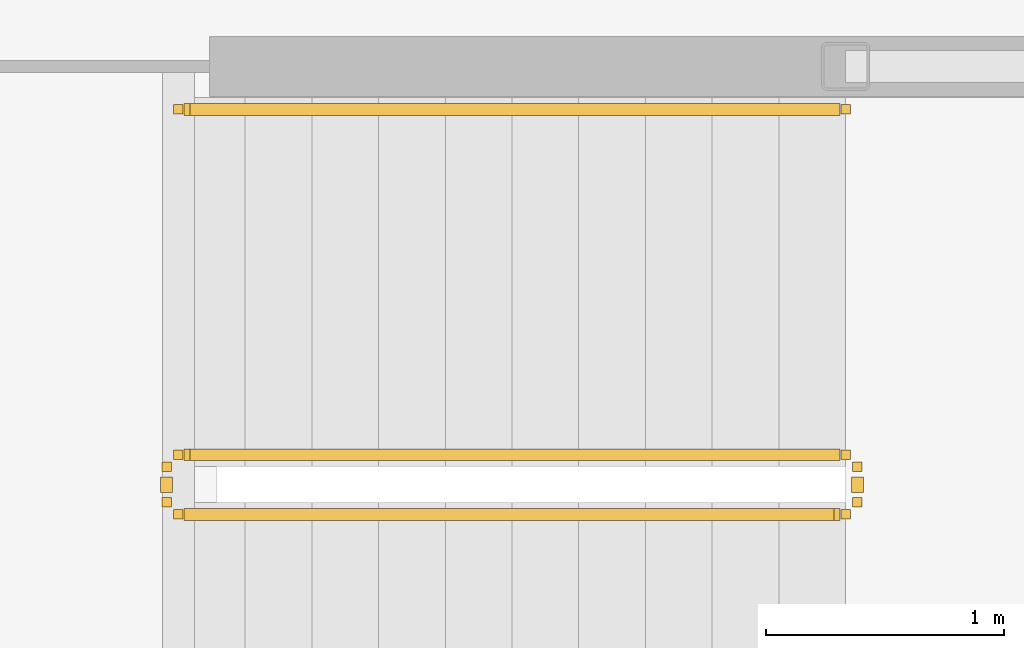
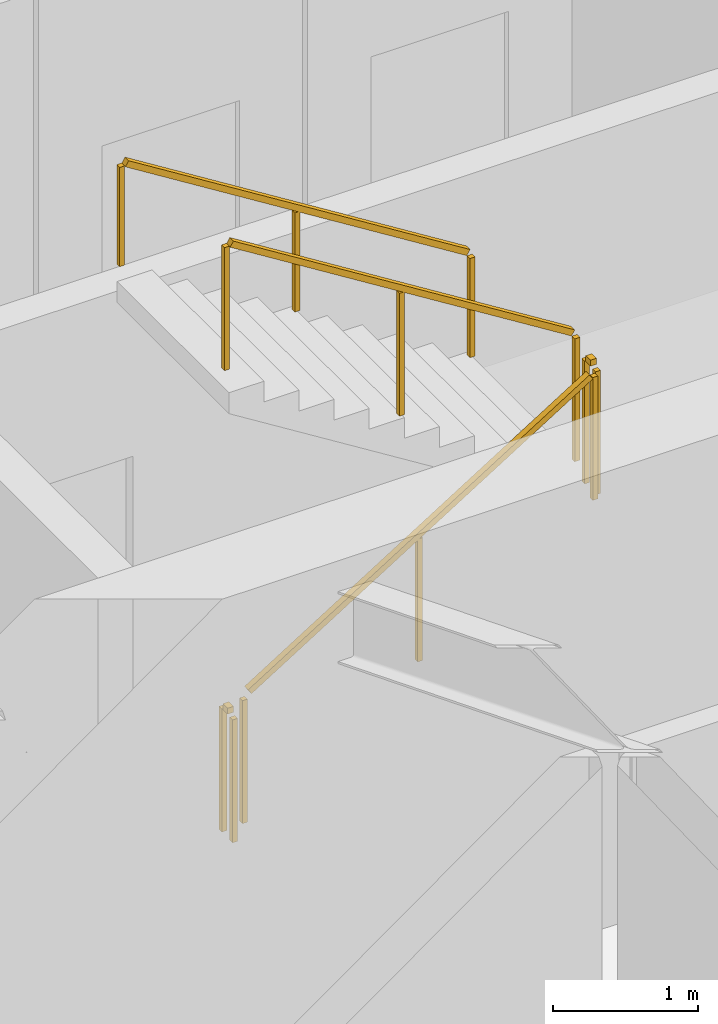
# One storey, part 26 of 29: 5 railings.
"""IFC4 building model written with IfcOpenShell, lengths in metres."""

from ifc_helpers import new_model, si_unit, direction, frame, origin, origin_2d, place, context, subcontext, project, spatial, rectangle, extrude, material, type_object, element, save


model = new_model("IFC4")

# Units and contexts
model_context = context("Model", 3, precision=1e-05, world=origin(), true_north=direction((0.0, 1.0)))
body_context = subcontext(model_context, "Body", "Model", "MODEL_VIEW")
ifc_project = project(units=[si_unit("LENGTHUNIT", "METRE"), si_unit("AREAUNIT", "SQUARE_METRE"), si_unit("VOLUMEUNIT", "CUBIC_METRE"), si_unit("PLANEANGLEUNIT", "RADIAN"), si_unit("MASSUNIT", "GRAM", prefix="KILO")], contexts=[model_context])

# Site, building, storey
site_placement = place(None, origin())
site = spatial("IfcSite", under=ifc_project, at=site_placement, CompositionType="ELEMENT")
building_placement = place(site_placement, origin())
building = spatial("IfcBuilding", under=site, at=building_placement, Name="Kazma Halo Residences", CompositionType="ELEMENT")
storey_placement = place(building_placement, frame((0.0, 0.0, 252.10009765625)))
storey = spatial("IfcBuildingStorey", under=building, at=storey_placement, Name="L63", CompositionType="ELEMENT", Elevation=252.10009765625)

# Railings
ifc_material_1 = material(Name="Painted Steel S355", Category="steel")
railing_type_1 = type_object("IfcRailingType", Name="RLG-STAIR-GRD-1100", PredefinedType="GUARDRAIL", material=ifc_material_1)
railing_1_placement = place(storey_placement, frame((53.199951171875, 35.5, 0.1748046875)))
element("IfcRailing", 1, at=railing_1_placement, inside=storey, type_object=railing_type_1, Name="L63 ST-03 stair guard 1", PredefinedType="GUARDRAIL", context=body_context, shape_type="SweptSolid", body=[
    extrude(rectangle(XDim=0.050048828125, YDim=0.050048828125, at=origin_2d()), frame((0.0361328125, 0.0, 1.09765625), z_axis=(0.848002457836, 0.0, 0.529992293815), x_axis=(0.0, 1.0, 0.0)), (0.0, 0.0, 1.0), 3.216796875),
    extrude(rectangle(XDim=0.0400390625, YDim=0.0400390625, at=origin_2d()), origin(), (0.0, 0.0, 1.0), 1.0380859375),
    extrude(rectangle(XDim=0.0400390625, YDim=0.0400390625, at=origin_2d()), frame((1.39990234375, 0.0, 0.875)), (0.0, 0.0, 1.0), 1.0380859375),
    extrude(rectangle(XDim=0.0400390625, YDim=0.0400390625, at=origin_2d()), frame((2.800048828125, 0.0, 1.75)), (0.0, 0.0, 1.0), 1.0380859375),
])
railing_2_placement = place(storey_placement, frame((56.050048828125, 35.550048828125, 1.9248046875)))
element("IfcRailing", 2, at=railing_2_placement, inside=storey, type_object=railing_type_1, Name="L63 ST-03 stair guard 2", PredefinedType="GUARDRAIL", context=body_context, shape_type="SweptSolid", body=[
    extrude(rectangle(XDim=0.050048828125, YDim=0.050048828125, at=origin_2d()), frame((0.0, 0.04248046875, 1.0751953125), z_axis=(0.0, 1.0, 0.0), x_axis=(-1.0, 0.0, 0.0)), (0.0, 0.0, 1.0), 0.06494140625),
    extrude(rectangle(XDim=0.0400390625, YDim=0.0400390625, at=origin_2d()), origin(), (0.0, 0.0, 1.0), 1.0380859375),
    extrude(rectangle(XDim=0.0400390625, YDim=0.0400390625, at=origin_2d()), frame((0.0, 0.14990234375, 0.0)), (0.0, 0.0, 1.0), 1.0380859375),
])
railing_3_placement = place(storey_placement, frame((56.0, 35.75, 2.099853515625)))
element("IfcRailing", 3, at=railing_3_placement, inside=storey, type_object=railing_type_1, Name="L63 ST-03 stair guard 3", PredefinedType="GUARDRAIL", context=body_context, shape_type="SweptSolid", body=[
    extrude(rectangle(XDim=0.050048828125, YDim=0.050048828125, at=origin_2d()), frame((-0.0361328125, 0.0, 1.09765625), z_axis=(-0.848002457836, 0.0, 0.529992293815), x_axis=(0.0, -1.0, 0.0)), (0.0, 0.0, 1.0), 3.216796875),
    extrude(rectangle(XDim=0.0400390625, YDim=0.0400390625, at=origin_2d()), origin(), (0.0, 0.0, 1.0), 1.0380859375),
    extrude(rectangle(XDim=0.0400390625, YDim=0.0400390625, at=origin_2d()), frame((-1.39990234375, 0.0, 0.875)), (0.0, 0.0, 1.0), 1.0380859375),
    extrude(rectangle(XDim=0.0400390625, YDim=0.0400390625, at=origin_2d()), frame((-2.800048828125, 0.0, 1.75)), (0.0, 0.0, 1.0), 1.0380859375),
])
railing_4_placement = place(storey_placement, frame((53.14990234375, 35.550048828125, 0.0)))
element("IfcRailing", 4, at=railing_4_placement, inside=storey, type_object=railing_type_1, Name="L63 ST-03 stair guard 4", PredefinedType="GUARDRAIL", context=body_context, shape_type="SweptSolid", body=[
    extrude(rectangle(XDim=0.050048828125, YDim=0.050048828125, at=origin_2d()), frame((0.0, 0.04248046875, 1.0751953125), z_axis=(0.0, 1.0, 0.0), x_axis=(-1.0, 0.0, 0.0)), (0.0, 0.0, 1.0), 0.06494140625),
    extrude(rectangle(XDim=0.0400390625, YDim=0.0400390625, at=origin_2d()), origin(), (0.0, 0.0, 1.0), 1.0380859375),
    extrude(rectangle(XDim=0.0400390625, YDim=0.0400390625, at=origin_2d()), frame((0.0, 0.14990234375, 0.0)), (0.0, 0.0, 1.0), 1.0380859375),
])
ifc_material_2 = material(Name="Brushed Stainless Steel", Category="steel")
railing_type_2 = type_object("IfcRailingType", Name="RLG-STAIR-HND-900", PredefinedType="HANDRAIL", material=ifc_material_2)
railing_5_placement = place(storey_placement, frame((56.0, 37.199951171875, 2.099853515625)))
element("IfcRailing", 5, at=railing_5_placement, inside=storey, type_object=railing_type_2, Name="L63 ST-03 stair handrail 2", PredefinedType="HANDRAIL", context=body_context, shape_type="SweptSolid", body=[
    extrude(rectangle(XDim=0.050048828125, YDim=0.050048828125, at=origin_2d()), frame((-0.0361328125, 0.0, 0.8974609375), z_axis=(-0.848002457836, 0.0, 0.529992293815), x_axis=(0.0, -1.0, 0.0)), (0.0, 0.0, 1.0), 3.216796875),
    extrude(rectangle(XDim=0.0400390625, YDim=0.0400390625, at=origin_2d()), origin(), (0.0, 0.0, 1.0), 0.837890625),
    extrude(rectangle(XDim=0.0400390625, YDim=0.0400390625, at=origin_2d()), frame((-1.39990234375, 0.0, 0.875)), (0.0, 0.0, 1.0), 0.837890625),
    extrude(rectangle(XDim=0.0400390625, YDim=0.0400390625, at=origin_2d()), frame((-2.800048828125, 0.0, 1.75)), (0.0, 0.0, 1.0), 0.837890625),
])

save(model, "model.ifc")
